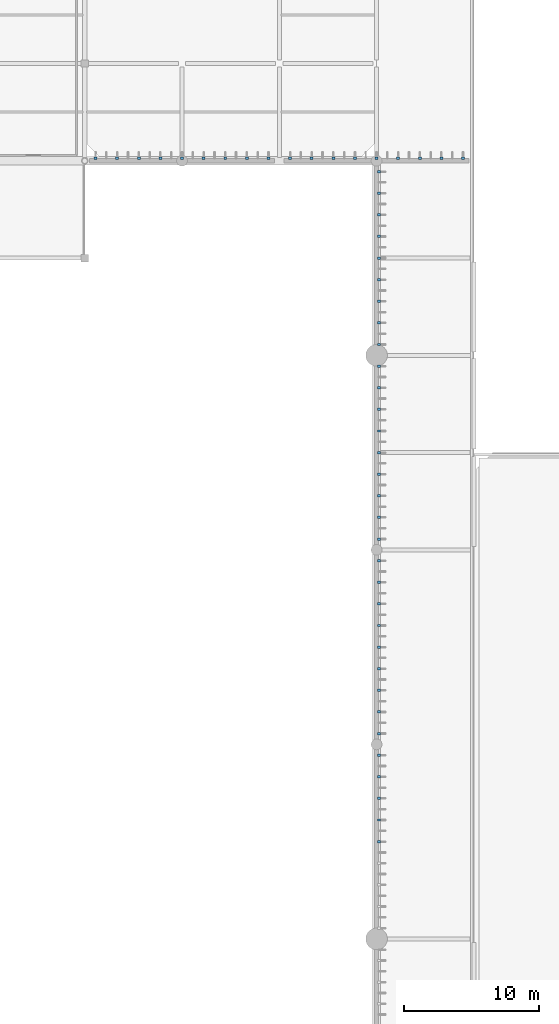
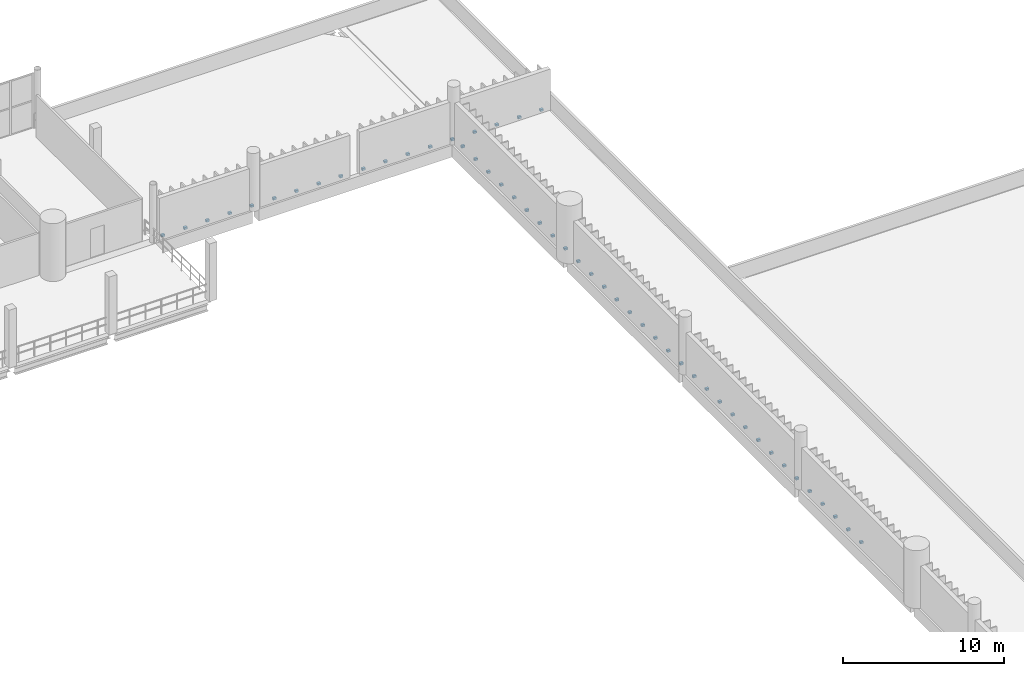
# One storey, part 66 of 81: 50 discrete accessories.
"""IFC4 building model written with IfcOpenShell, lengths in metres."""

from ifc_helpers import new_model, si_unit, direction, frame, origin, origin_2d, place, context, subcontext, project, spatial, rectangle, extrude, material, type_object, element, save


model = new_model("IFC4")

# Units and contexts
model_context = context("Model", 3, precision=1e-05, world=origin(), true_north=direction((0.0, 1.0)))
body_context = subcontext(model_context, "Body", "Model", "MODEL_VIEW")
ifc_project = project(units=[si_unit("LENGTHUNIT", "METRE"), si_unit("AREAUNIT", "SQUARE_METRE"), si_unit("VOLUMEUNIT", "CUBIC_METRE"), si_unit("PLANEANGLEUNIT", "RADIAN"), si_unit("MASSUNIT", "GRAM", prefix="KILO")], contexts=[model_context])

# Site, building, storey
site_placement = place(None, origin())
site = spatial("IfcSite", under=ifc_project, at=site_placement, CompositionType="ELEMENT")
building_placement = place(site_placement, origin())
building = spatial("IfcBuilding", under=site, at=building_placement, Name="Qandorah Velis Arena", CompositionType="ELEMENT")
storey_placement = place(building_placement, frame((0.0, 0.0, 18.60009765625)))
storey = spatial("IfcBuildingStorey", under=building, at=storey_placement, Name="L04", CompositionType="ELEMENT", Elevation=18.60009765625)

# Discrete accessories
ifc_material = material(Name="Stainless steel 316", Category="steel")
discrete_accessory_type = type_object("IfcDiscreteAccessoryType", Name="ARC-ACC-BRK", PredefinedType="BRACKET", material=ifc_material)
for number, where, z_axis, x_axis, name in (
    (1, (115.3798828125, 64.800048828125, -0.01025390625), (0.0, 0.0, 1.0), (1.0, 0.0, 0.0), "Solar fin mounting bracket BRK-0031"),
    (2, (115.3798828125, 66.39990234375, -0.01025390625), (0.0, 0.0, 1.0), (1.0, 0.0, 0.0), "Solar fin mounting bracket BRK-0032"),
    (3, (115.3798828125, 68.0, -0.01025390625), (0.0, 0.0, 1.0), (1.0, 0.0, 0.0), "Solar fin mounting bracket BRK-0033"),
    (4, (115.3798828125, 69.60009765625, -0.01025390625), (0.0, 0.0, 1.0), (1.0, 0.0, 0.0), "Solar fin mounting bracket BRK-0034"),
    (5, (115.3798828125, 71.199951171875, -0.01025390625), (0.0, 0.0, 1.0), (1.0, 0.0, 0.0), "Solar fin mounting bracket BRK-0035"),
    (6, (115.3798828125, 72.800048828125, -0.01025390625), (0.0, 0.0, 1.0), (1.0, 0.0, 0.0), "Solar fin mounting bracket BRK-0045"),
    (7, (115.3798828125, 74.39990234375, -0.01025390625), (0.0, 0.0, 1.0), (1.0, 0.0, 0.0), "Solar fin mounting bracket BRK-0046"),
    (8, (115.3798828125, 76.0, -0.01025390625), (0.0, 0.0, 1.0), (1.0, 0.0, 0.0), "Solar fin mounting bracket BRK-0047"),
    (9, (115.3798828125, 77.60009765625, -0.01025390625), (0.0, 0.0, 1.0), (1.0, 0.0, 0.0), "Solar fin mounting bracket BRK-0048"),
    (10, (115.3798828125, 79.199951171875, -0.01025390625), (0.0, 0.0, 1.0), (1.0, 0.0, 0.0), "Solar fin mounting bracket BRK-0049"),
    (11, (115.3798828125, 80.800048828125, -0.01025390625), (0.0, 0.0, 1.0), (1.0, 0.0, 0.0), "Solar fin mounting bracket BRK-0050"),
    (12, (115.3798828125, 82.39990234375, -0.01025390625), (0.0, 0.0, 1.0), (1.0, 0.0, 0.0), "Solar fin mounting bracket BRK-0051"),
    (13, (115.3798828125, 84.0, -0.01025390625), (0.0, 0.0, 1.0), (1.0, 0.0, 0.0), "Solar fin mounting bracket BRK-0052"),
    (14, (115.3798828125, 85.60009765625, -0.01025390625), (0.0, 0.0, 1.0), (1.0, 0.0, 0.0), "Solar fin mounting bracket BRK-0053"),
    (15, (115.3798828125, 87.199951171875, -0.01025390625), (0.0, 0.0, 1.0), (1.0, 0.0, 0.0), "Solar fin mounting bracket BRK-0063"),
    (16, (115.3798828125, 88.800048828125, -0.01025390625), (0.0, 0.0, 1.0), (1.0, 0.0, 0.0), "Solar fin mounting bracket BRK-0064"),
    (17, (115.3798828125, 90.39990234375, -0.01025390625), (0.0, 0.0, 1.0), (1.0, 0.0, 0.0), "Solar fin mounting bracket BRK-0065"),
    (18, (115.3798828125, 92.0, -0.01025390625), (0.0, 0.0, 1.0), (1.0, 0.0, 0.0), "Solar fin mounting bracket BRK-0066"),
    (19, (115.3798828125, 93.60009765625, -0.01025390625), (0.0, 0.0, 1.0), (1.0, 0.0, 0.0), "Solar fin mounting bracket BRK-0067"),
    (20, (115.3798828125, 95.199951171875, -0.01025390625), (0.0, 0.0, 1.0), (1.0, 0.0, 0.0), "Solar fin mounting bracket BRK-0068"),
    (21, (115.3798828125, 96.800048828125, -0.01025390625), (0.0, 0.0, 1.0), (1.0, 0.0, 0.0), "Solar fin mounting bracket BRK-0069"),
    (22, (115.3798828125, 98.39990234375, -0.01025390625), (0.0, 0.0, 1.0), (1.0, 0.0, 0.0), "Solar fin mounting bracket BRK-0070"),
    (23, (115.3798828125, 100.0, -0.01025390625), (0.0, 0.0, 1.0), (1.0, 0.0, 0.0), "Solar fin mounting bracket BRK-0071"),
    (24, (115.3798828125, 101.60009765625, -0.01025390625), (0.0, 0.0, 1.0), (1.0, 0.0, 0.0), "Solar fin mounting bracket BRK-0081"),
    (25, (115.3798828125, 103.199951171875, -0.01025390625), (0.0, 0.0, 1.0), (1.0, 0.0, 0.0), "Solar fin mounting bracket BRK-0082"),
    (26, (115.3798828125, 104.800048828125, -0.01025390625), (0.0, 0.0, 1.0), (1.0, 0.0, 0.0), "Solar fin mounting bracket BRK-0083"),
    (27, (115.3798828125, 106.39990234375, -0.01025390625), (0.0, 0.0, 1.0), (1.0, 0.0, 0.0), "Solar fin mounting bracket BRK-0084"),
    (28, (115.3798828125, 108.0, -0.01025390625), (0.0, 0.0, 1.0), (1.0, 0.0, 0.0), "Solar fin mounting bracket BRK-0085"),
    (29, (115.3798828125, 109.60009765625, -0.01025390625), (0.0, 0.0, 1.0), (1.0, 0.0, 0.0), "Solar fin mounting bracket BRK-0086"),
    (30, (115.3798828125, 111.199951171875, -0.01025390625), (0.0, 0.0, 1.0), (1.0, 0.0, 0.0), "Solar fin mounting bracket BRK-0087"),
    (31, (115.3798828125, 112.800048828125, -0.01025390625), (0.0, 0.0, 1.0), (1.0, 0.0, 0.0), "Solar fin mounting bracket BRK-0088"),
    (32, (115.3798828125, 114.39990234375, -0.01025390625), (0.0, 0.0, 1.0), (1.0, 0.0, 0.0), "Solar fin mounting bracket BRK-0089"),
    (33, (94.39990234375, 115.3798828125, -0.01025390625), (0.0, 0.0, 1.0), (1.0, 0.0, 0.0), "Solar fin mounting bracket BRK-0135"),
    (34, (96.0, 115.3798828125, -0.01025390625), (0.0, 0.0, 1.0), (1.0, 0.0, 0.0), "Solar fin mounting bracket BRK-0136"),
    (35, (97.60009765625, 115.3798828125, -0.01025390625), (0.0, 0.0, 1.0), (1.0, 0.0, 0.0), "Solar fin mounting bracket BRK-0137"),
    (36, (99.199951171875, 115.3798828125, -0.01025390625), (0.0, 0.0, 1.0), (1.0, 0.0, 0.0), "Solar fin mounting bracket BRK-0138"),
    (37, (100.800048828125, 115.3798828125, -0.01025390625), (0.0, 0.0, 1.0), (1.0, 0.0, 0.0), "Solar fin mounting bracket BRK-0139"),
    (38, (102.39990234375, 115.3798828125, -0.01025390625), (0.0, 0.0, 1.0), (1.0, 0.0, 0.0), "Solar fin mounting bracket BRK-0140"),
    (39, (104.0, 115.3798828125, -0.01025390625), (0.0, 0.0, 1.0), (1.0, 0.0, 0.0), "Solar fin mounting bracket BRK-0141"),
    (40, (105.60009765625, 115.3798828125, -0.01025390625), (0.0, 0.0, 1.0), (1.0, 0.0, 0.0), "Solar fin mounting bracket BRK-0142"),
    (41, (107.199951171875, 115.3798828125, -0.01025390625), (0.0, 0.0, 1.0), (1.0, 0.0, 0.0), "Solar fin mounting bracket BRK-0143"),
    (42, (108.800048828125, 115.3798828125, -0.01025390625), (0.0, 0.0, 1.0), (1.0, 0.0, 0.0), "Solar fin mounting bracket BRK-0153"),
    (43, (110.39990234375, 115.3798828125, -0.01025390625), (0.0, 0.0, 1.0), (1.0, 0.0, 0.0), "Solar fin mounting bracket BRK-0154"),
    (44, (112.0, 115.3798828125, -0.01025390625), (0.0, 0.0, 1.0), (1.0, 0.0, 0.0), "Solar fin mounting bracket BRK-0155"),
    (45, (113.60009765625, 115.3798828125, -0.01025390625), (0.0, 0.0, 1.0), (1.0, 0.0, 0.0), "Solar fin mounting bracket BRK-0156"),
    (46, (115.199951171875, 115.3798828125, -0.01025390625), (0.0, 0.0, 1.0), (1.0, 0.0, 0.0), "Solar fin mounting bracket BRK-0157"),
    (47, (116.800048828125, 115.3798828125, -0.01025390625), (0.0, 0.0, 1.0), (1.0, 0.0, 0.0), "Solar fin mounting bracket BRK-0158"),
    (48, (118.39990234375, 115.3798828125, -0.01025390625), (0.0, 0.0, 1.0), (1.0, 0.0, 0.0), "Solar fin mounting bracket BRK-0159"),
    (49, (120.0, 115.3798828125, -0.01025390625), (0.0, 0.0, 1.0), (1.0, 0.0, 0.0), "Solar fin mounting bracket BRK-0160"),
    (50, (121.60009765625, 115.3798828125, -0.01025390625), (0.0, 0.0, 1.0), (1.0, 0.0, 0.0), "Solar fin mounting bracket BRK-0161"),
):
    element("IfcDiscreteAccessory", number, at=place(storey_placement, frame(where, z_axis=z_axis, x_axis=x_axis)), inside=storey, type_object=discrete_accessory_type, Name=name, PredefinedType="BRACKET", context=body_context, shape_type="SweptSolid", body=[
        extrude(rectangle(XDim=0.219970703125, YDim=0.179931640625, at=origin_2d()), origin(), (0.0, 0.0, 1.0), 0.159912109375),
    ])

save(model, "model.ifc")
